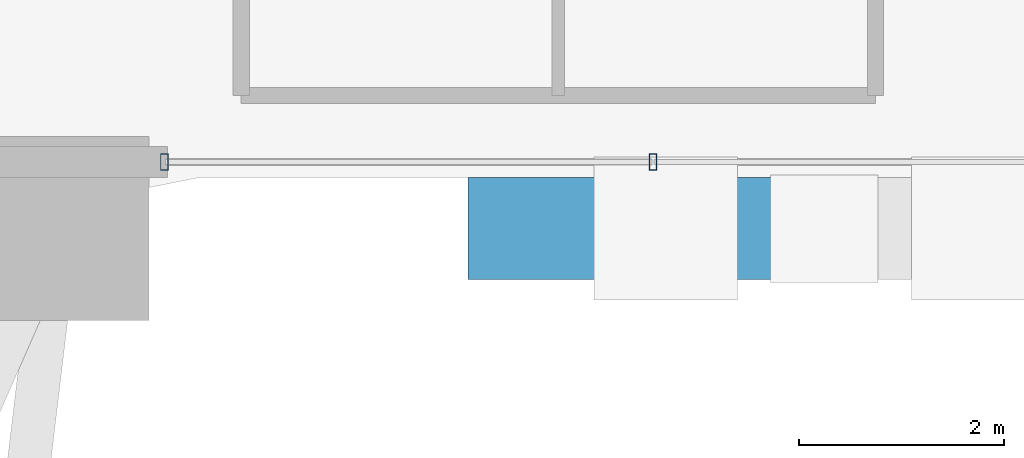
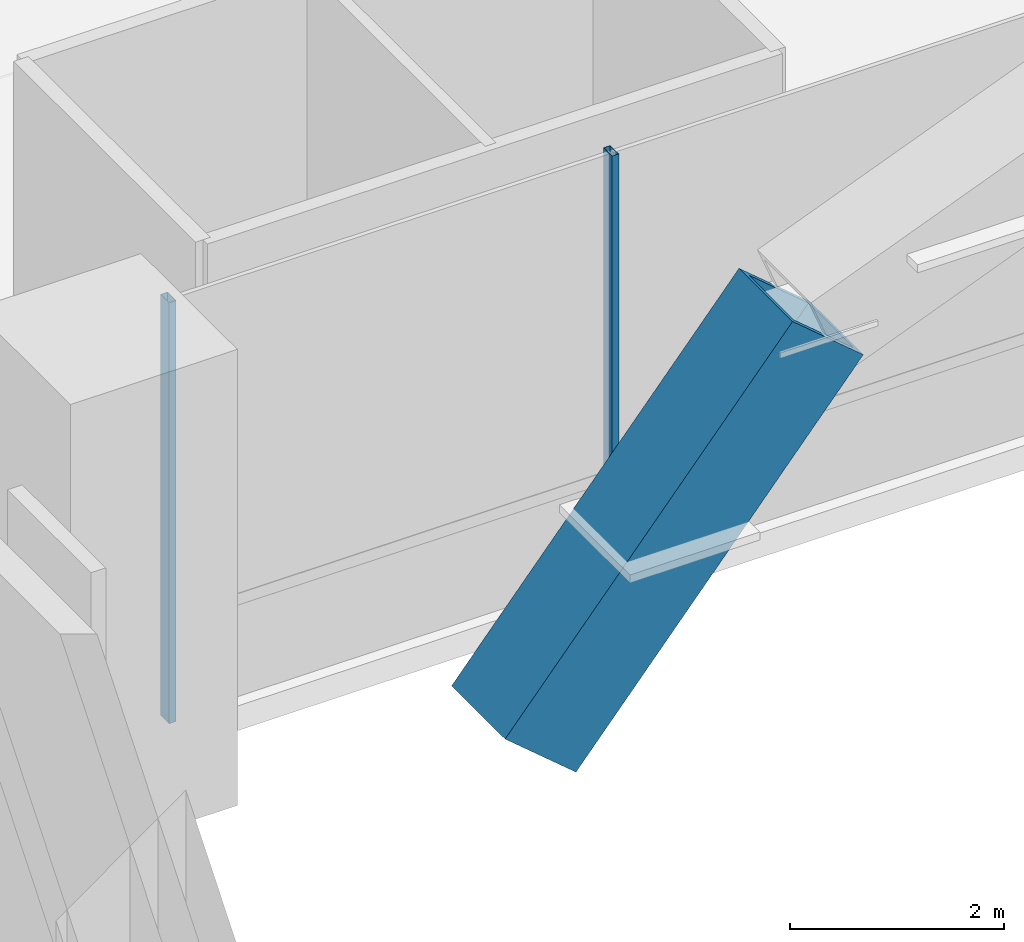
# One storey, part 6 of 39: 3 members, 1 element without a shape of its own.
"""IFC4 building model written with IfcOpenShell, lengths in metres."""

from ifc_helpers import new_model, si_unit, direction, frame, origin, origin_2d, place, context, subcontext, project, spatial, hollow_rectangle, extrude, source, transform, mapped, material, material_profile, profile_set, type_object, element, aggregate, save


model = new_model("IFC4")

# Units and contexts
model_context = context("Model", 3, precision=1e-05, world=origin(), true_north=direction((0.0, 1.0)))
body_context = subcontext(model_context, "Body", "Model", "MODEL_VIEW")
ifc_project = project(units=[si_unit("LENGTHUNIT", "METRE"), si_unit("AREAUNIT", "SQUARE_METRE"), si_unit("VOLUMEUNIT", "CUBIC_METRE"), si_unit("PLANEANGLEUNIT", "RADIAN"), si_unit("MASSUNIT", "GRAM", prefix="KILO")], contexts=[model_context])

# Site, building, storey
site_placement = place(None, origin())
site = spatial("IfcSite", under=ifc_project, at=site_placement, CompositionType="ELEMENT")
building_placement = place(site_placement, origin())
building = spatial("IfcBuilding", under=site, at=building_placement, Name="Valdorenza Pilgrim Sanctuary Tower", CompositionType="ELEMENT")
storey_placement = place(building_placement, frame((0.0, 0.0, 15.60009765625)))
storey = spatial("IfcBuildingStorey", under=building, at=storey_placement, Name="L03", CompositionType="ELEMENT", Elevation=15.60009765625)

# Member
ifc_material_1 = material(Name="Steel ASTM A572 Grade 42", Category="steel")
ifc_material_profile_1 = material_profile(ifc_material_1, hollow_rectangle(XDim=1.0, YDim=1.0, WallThickness=0.080078125, at=origin_2d()), Name="BOX 1000x1000x80")
ifc_profile_set_1 = profile_set([ifc_material_profile_1], Name="Steel ASTM A572 Grade 42")
member_type_1 = type_object("IfcMemberType", Name="STR-MB-ARCH-RIB", PredefinedType="CHORD", material=ifc_profile_set_1)
shared_shape_1 = source(origin(), body_context, "Body", "SweptSolid", [
    extrude(hollow_rectangle(XDim=1.0, YDim=1.0, WallThickness=0.080078125, at=origin_2d()), origin(), (0.0, 0.0, 1.0), 4.807861328125),
])
member_1_placement = place(storey_placement, frame((-6.199951171875, -6.5, -0.900146484375), z_axis=(0.644753207786, 0.0, 0.764390803875), x_axis=(0.0, 1.0, 0.0)))
element("IfcMember", 1, at=member_1_placement, inside=storey, type_object=member_type_1, Name="Parabolic Portal Arch Rib INNER Seg 3", PredefinedType="CHORD", context=body_context, shape_type="MappedRepresentation", body=[
    mapped(shared_shape_1, transform((0.0, 0.0, 0.0), x_axis=(1.0, 0.0, 0.0), y_axis=(0.0, 1.0, 0.0), z_axis=(0.0, 0.0, 1.0), scale=1.0)),
])

# Curtain wall, members
ifc_material_2 = material(Name="Curtain-wall IGU glazing", Category="glass")
curtain_wall_type = type_object("IfcCurtainWallType", Name="CW-SYS-01", PredefinedType="NOTDEFINED", material=ifc_material_2)
curtain_wall_placement = place(storey_placement, origin())
curtain_wall = element("IfcCurtainWall", 2, at=curtain_wall_placement, inside=storey, type_object=curtain_wall_type, Name="L03 Curtain Wall CW-POD-L03-ARCH-BACK", PredefinedType="NOTDEFINED")
ifc_material_3 = material(Name="Anodised aluminium AW-6060", Category="aluminium")
ifc_material_profile_2 = material_profile(ifc_material_3, hollow_rectangle(XDim=0.074951171875, YDim=0.159912109375, WallThickness=0.00390625, at=origin_2d()), Name="ALU-M 160x75x4")
ifc_profile_set_2 = profile_set([ifc_material_profile_2], Name="Anodised aluminium AW-6060")
member_type_2 = type_object("IfcMemberType", Name="CW-MUL-01", PredefinedType="MULLION", material=ifc_profile_set_2)
shared_shape_2 = source(origin(), body_context, "Body", "SweptSolid", [
    extrude(hollow_rectangle(XDim=0.074951171875, YDim=0.159912109375, WallThickness=0.00390625, at=origin_2d()), origin(), (0.0, 0.0, 1.0), 4.7998046875),
])
member_2_placement = place(storey_placement, frame((-9.550048828125, -5.85009765625, 0.0), z_axis=(0.0, 0.0, 1.0), x_axis=(1.0, 0.0, 0.0)))
member_2 = element("IfcMember", 3, at=member_2_placement, type_object=member_type_2, Name="CW-POD-L03-ARCH-BACK Mullion 1", PredefinedType="MULLION", context=body_context, shape_type="MappedRepresentation", body=[
    mapped(shared_shape_2, transform((0.0, 0.0, 0.0), x_axis=(1.0, 0.0, 0.0), y_axis=(0.0, 1.0, 0.0), z_axis=(0.0, 0.0, 1.0), scale=1.0)),
])
member_3_placement = place(storey_placement, frame((-4.77490234375, -5.85009765625, 0.0), z_axis=(0.0, 0.0, 1.0), x_axis=(1.0, 0.0, 0.0)))
member_3 = element("IfcMember", 4, at=member_3_placement, type_object=member_type_2, Name="CW-POD-L03-ARCH-BACK Mullion 2", PredefinedType="MULLION", context=body_context, shape_type="MappedRepresentation", body=[
    mapped(shared_shape_2, transform((0.0, 0.0, 0.0), x_axis=(1.0, 0.0, 0.0), y_axis=(0.0, 1.0, 0.0), z_axis=(0.0, 0.0, 1.0), scale=1.0)),
])
aggregate(curtain_wall, [member_2, member_3])

save(model, "model.ifc")
